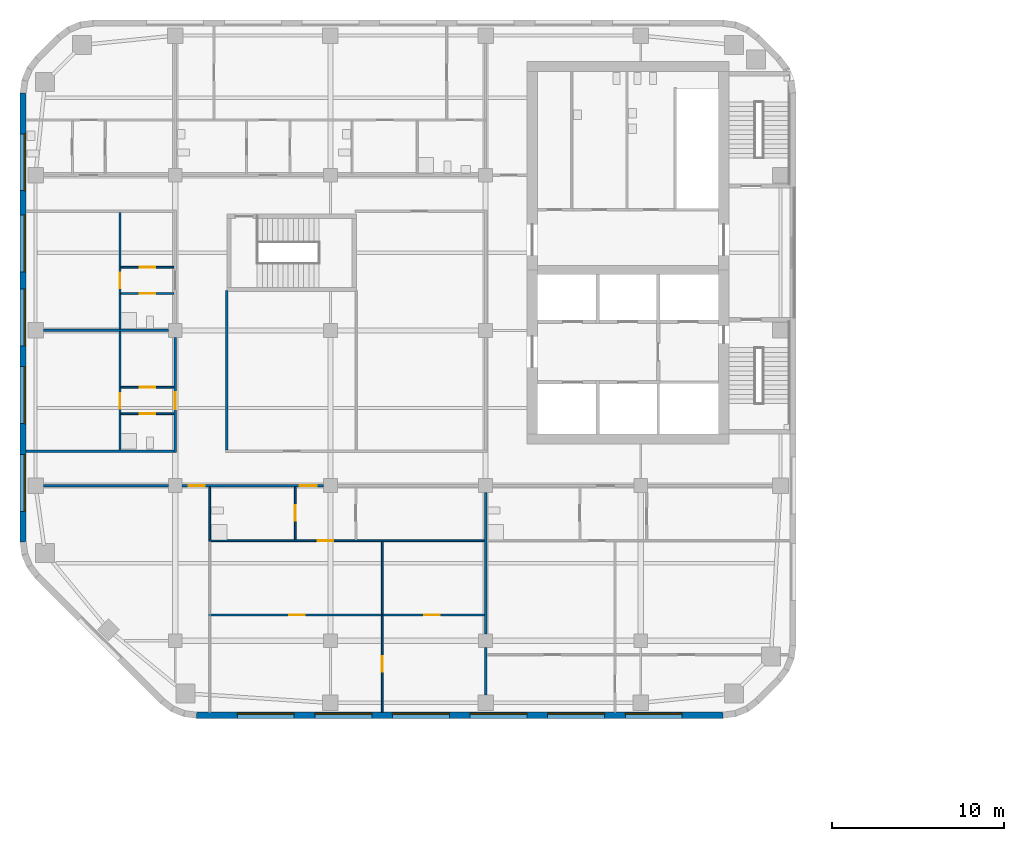
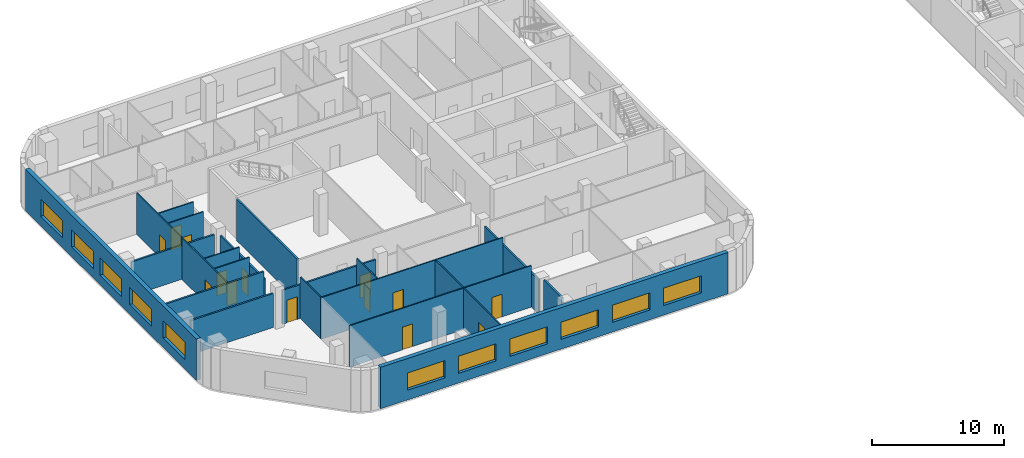
# One storey, part 5 of 16: 22 walls, 14 doors, 11 windows, 25 openings.
"""IFC4 building model written with IfcOpenShell, lengths in metres."""

from ifc_helpers import new_model, si_unit, direction, frame, frame_2d, origin, place, context, subcontext, project, spatial, rectangle, extrude, material, layer, layer_set, type_object, element, fill, save


model = new_model("IFC4")

# Units and contexts
model_context = context("Model", 3, precision=1e-05, world=origin(), true_north=direction((0.0, 1.0)))
body_context = subcontext(model_context, "Body", "Model", "MODEL_VIEW")
ifc_project = project(units=[si_unit("LENGTHUNIT", "METRE"), si_unit("AREAUNIT", "SQUARE_METRE"), si_unit("VOLUMEUNIT", "CUBIC_METRE"), si_unit("PLANEANGLEUNIT", "RADIAN"), si_unit("MASSUNIT", "GRAM", prefix="KILO")], contexts=[model_context])

# Site, building, storey
site_placement = place(None, origin())
site = spatial("IfcSite", under=ifc_project, at=site_placement, CompositionType="ELEMENT")
building_placement = place(site_placement, origin())
building = spatial("IfcBuilding", under=site, at=building_placement, Name="Cinnabar Reach Civic Tower", CompositionType="ELEMENT")
storey_placement = place(building_placement, frame((0.0, 0.0, 38.0)))
storey = spatial("IfcBuildingStorey", under=building, at=storey_placement, Name="L08", CompositionType="ELEMENT", Elevation=38.0)

# Wall, openings, windows
ifc_material_1 = material(Name="Facing brick with insulated backing", Category="masonry")
ifc_layer_1 = layer(ifc_material_1, 0.36)
ifc_layer_set_1 = layer_set([ifc_layer_1], Name="Brick pier and spandrel wall")
wall_type_1 = type_object("IfcWallType", Name="Brick pier and spandrel wall", PredefinedType="STANDARD", material=ifc_layer_set_1)
wall_1_placement = place(storey_placement, frame((-61.7574, 4.68, 0.0), z_axis=(0.0, 0.0, 1.0), x_axis=(1.0, 0.0, 0.0)))
wall_1 = element("IfcWall", 1, at=wall_1_placement, inside=storey, type_object=wall_type_1, Name="Brick facade wall", PredefinedType="STANDARD", context=body_context, shape_type="SweptSolid", body=[
    extrude(rectangle(XDim=30.5148, YDim=0.36, at=frame_2d((15.2574, 0.0))), origin(), (0.0, 0.0, 1.0), 3.85),
])
opening_1_placement = place(wall_1_placement, frame((2.3574, 0.0, 0.9)))
opening_1 = element("IfcOpeningElement", 2, at=opening_1_placement, cuts=wall_1, Name="Opening W2416", PredefinedType="OPENING", context=body_context, shape_type="SweptSolid", body=[
    extrude(rectangle(XDim=3.3, YDim=1.6, at=frame_2d((1.65, 0.8))), frame((0.0, 0.19, 0.0), z_axis=(0.0, -1.0, 0.0), x_axis=(1.0, 0.0, 0.0)), (0.0, 0.0, 1.0), 0.38),
])
opening_2_placement = place(wall_1_placement, frame((6.8574, 0.0, 0.9)))
opening_2 = element("IfcOpeningElement", 3, at=opening_2_placement, cuts=wall_1, Name="Opening W2417", PredefinedType="OPENING", context=body_context, shape_type="SweptSolid", body=[
    extrude(rectangle(XDim=3.3, YDim=1.6, at=frame_2d((1.65, 0.8))), frame((0.0, 0.19, 0.0), z_axis=(0.0, -1.0, 0.0), x_axis=(1.0, 0.0, 0.0)), (0.0, 0.0, 1.0), 0.38),
])
opening_3_placement = place(wall_1_placement, frame((11.3574, 0.0, 0.9)))
opening_3 = element("IfcOpeningElement", 4, at=opening_3_placement, cuts=wall_1, Name="Opening W2418", PredefinedType="OPENING", context=body_context, shape_type="SweptSolid", body=[
    extrude(rectangle(XDim=3.3, YDim=1.6, at=frame_2d((1.65, 0.8))), frame((0.0, 0.19, 0.0), z_axis=(0.0, -1.0, 0.0), x_axis=(1.0, 0.0, 0.0)), (0.0, 0.0, 1.0), 0.38),
])
opening_4_placement = place(wall_1_placement, frame((15.8574, 0.0, 0.9)))
opening_4 = element("IfcOpeningElement", 5, at=opening_4_placement, cuts=wall_1, Name="Opening W2419", PredefinedType="OPENING", context=body_context, shape_type="SweptSolid", body=[
    extrude(rectangle(XDim=3.3, YDim=1.6, at=frame_2d((1.65, 0.8))), frame((0.0, 0.19, 0.0), z_axis=(0.0, -1.0, 0.0), x_axis=(1.0, 0.0, 0.0)), (0.0, 0.0, 1.0), 0.38),
])
opening_5_placement = place(wall_1_placement, frame((20.3574, 0.0, 0.9)))
opening_5 = element("IfcOpeningElement", 6, at=opening_5_placement, cuts=wall_1, Name="Opening W2420", PredefinedType="OPENING", context=body_context, shape_type="SweptSolid", body=[
    extrude(rectangle(XDim=3.3, YDim=1.6, at=frame_2d((1.65, 0.8))), frame((0.0, 0.19, 0.0), z_axis=(0.0, -1.0, 0.0), x_axis=(1.0, 0.0, 0.0)), (0.0, 0.0, 1.0), 0.38),
])
opening_6_placement = place(wall_1_placement, frame((24.8574, 0.0, 0.9)))
opening_6 = element("IfcOpeningElement", 7, at=opening_6_placement, cuts=wall_1, Name="Opening W2421", PredefinedType="OPENING", context=body_context, shape_type="SweptSolid", body=[
    extrude(rectangle(XDim=3.3, YDim=1.6, at=frame_2d((1.65, 0.8))), frame((0.0, 0.19, 0.0), z_axis=(0.0, -1.0, 0.0), x_axis=(1.0, 0.0, 0.0)), (0.0, 0.0, 1.0), 0.38),
])
ifc_material_2 = material(Name="Clear double glazing in aluminium frame", Category="aluminium")
window_type = type_object("IfcWindowType", Name="Deep-set window A", PartitioningType="SINGLE_PANEL", PredefinedType="WINDOW", material=ifc_material_2)
window_1_placement = place(opening_1_placement, origin())
window_1 = element("IfcWindow", 8, at=window_1_placement, inside=storey, type_object=window_type, Name="Window south face", OverallHeight=1.6, OverallWidth=3.3, PartitioningType="SINGLE_PANEL", PredefinedType="WINDOW", context=body_context, shape_type="SweptSolid", body=[
    extrude(rectangle(XDim=3.3, YDim=1.6, at=frame_2d((1.65, 0.8))), frame((0.0, 0.13, 0.0), z_axis=(0.0, -1.0, 0.0), x_axis=(1.0, 0.0, 0.0)), (0.0, 0.0, 1.0), 0.06),
])
fill(opening_1, window_1)
window_2_placement = place(opening_2_placement, origin())
window_2 = element("IfcWindow", 9, at=window_2_placement, inside=storey, type_object=window_type, Name="Window south face", OverallHeight=1.6, OverallWidth=3.3, PartitioningType="SINGLE_PANEL", PredefinedType="WINDOW", context=body_context, shape_type="SweptSolid", body=[
    extrude(rectangle(XDim=3.3, YDim=1.6, at=frame_2d((1.65, 0.8))), frame((0.0, 0.13, 0.0), z_axis=(0.0, -1.0, 0.0), x_axis=(1.0, 0.0, 0.0)), (0.0, 0.0, 1.0), 0.06),
])
fill(opening_2, window_2)
window_3_placement = place(opening_3_placement, origin())
window_3 = element("IfcWindow", 10, at=window_3_placement, inside=storey, type_object=window_type, Name="Window south face", OverallHeight=1.6, OverallWidth=3.3, PartitioningType="SINGLE_PANEL", PredefinedType="WINDOW", context=body_context, shape_type="SweptSolid", body=[
    extrude(rectangle(XDim=3.3, YDim=1.6, at=frame_2d((1.65, 0.8))), frame((0.0, 0.13, 0.0), z_axis=(0.0, -1.0, 0.0), x_axis=(1.0, 0.0, 0.0)), (0.0, 0.0, 1.0), 0.06),
])
fill(opening_3, window_3)
window_4_placement = place(opening_4_placement, origin())
window_4 = element("IfcWindow", 11, at=window_4_placement, inside=storey, type_object=window_type, Name="Window south face", OverallHeight=1.6, OverallWidth=3.3, PartitioningType="SINGLE_PANEL", PredefinedType="WINDOW", context=body_context, shape_type="SweptSolid", body=[
    extrude(rectangle(XDim=3.3, YDim=1.6, at=frame_2d((1.65, 0.8))), frame((0.0, 0.13, 0.0), z_axis=(0.0, -1.0, 0.0), x_axis=(1.0, 0.0, 0.0)), (0.0, 0.0, 1.0), 0.06),
])
fill(opening_4, window_4)
window_5_placement = place(opening_5_placement, origin())
window_5 = element("IfcWindow", 12, at=window_5_placement, inside=storey, type_object=window_type, Name="Window south face", OverallHeight=1.6, OverallWidth=3.3, PartitioningType="SINGLE_PANEL", PredefinedType="WINDOW", context=body_context, shape_type="SweptSolid", body=[
    extrude(rectangle(XDim=3.3, YDim=1.6, at=frame_2d((1.65, 0.8))), frame((0.0, 0.13, 0.0), z_axis=(0.0, -1.0, 0.0), x_axis=(1.0, 0.0, 0.0)), (0.0, 0.0, 1.0), 0.06),
])
fill(opening_5, window_5)
window_6_placement = place(opening_6_placement, origin())
window_6 = element("IfcWindow", 13, at=window_6_placement, inside=storey, type_object=window_type, Name="Window south face", OverallHeight=1.6, OverallWidth=3.3, PartitioningType="SINGLE_PANEL", PredefinedType="WINDOW", context=body_context, shape_type="SweptSolid", body=[
    extrude(rectangle(XDim=3.3, YDim=1.6, at=frame_2d((1.65, 0.8))), frame((0.0, 0.13, 0.0), z_axis=(0.0, -1.0, 0.0), x_axis=(1.0, 0.0, 0.0)), (0.0, 0.0, 1.0), 0.06),
])
fill(opening_6, window_6)

wall_2_placement = place(storey_placement, frame((-71.82, 40.7574, 0.0), z_axis=(0.0, 0.0, 1.0), x_axis=(0.0, -1.0, 0.0)))
wall_2 = element("IfcWall", 14, at=wall_2_placement, inside=storey, type_object=wall_type_1, Name="Brick facade wall", PredefinedType="STANDARD", context=body_context, shape_type="SweptSolid", body=[
    extrude(rectangle(XDim=26.0148, YDim=0.36, at=frame_2d((13.0074, 0.0))), origin(), (0.0, 0.0, 1.0), 3.85),
])
opening_7_placement = place(wall_2_placement, frame((2.3574, 0.0, 0.9)))
opening_7 = element("IfcOpeningElement", 15, at=opening_7_placement, cuts=wall_2, Name="Opening W2432", PredefinedType="OPENING", context=body_context, shape_type="SweptSolid", body=[
    extrude(rectangle(XDim=3.3, YDim=1.6, at=frame_2d((1.65, 0.8))), frame((0.0, 0.19, 0.0), z_axis=(0.0, -1.0, 0.0), x_axis=(1.0, 0.0, 0.0)), (0.0, 0.0, 1.0), 0.38),
])
opening_8_placement = place(wall_2_placement, frame((7.0574, 0.0, 0.9)))
opening_8 = element("IfcOpeningElement", 16, at=opening_8_placement, cuts=wall_2, Name="Opening W2433", PredefinedType="OPENING", context=body_context, shape_type="SweptSolid", body=[
    extrude(rectangle(XDim=3.3, YDim=1.6, at=frame_2d((1.65, 0.8))), frame((0.0, 0.19, 0.0), z_axis=(0.0, -1.0, 0.0), x_axis=(1.0, 0.0, 0.0)), (0.0, 0.0, 1.0), 0.38),
])
opening_9_placement = place(wall_2_placement, frame((11.3574, 0.0, 0.9)))
opening_9 = element("IfcOpeningElement", 17, at=opening_9_placement, cuts=wall_2, Name="Opening W2434", PredefinedType="OPENING", context=body_context, shape_type="SweptSolid", body=[
    extrude(rectangle(XDim=3.3, YDim=1.6, at=frame_2d((1.65, 0.8))), frame((0.0, 0.19, 0.0), z_axis=(0.0, -1.0, 0.0), x_axis=(1.0, 0.0, 0.0)), (0.0, 0.0, 1.0), 0.38),
])
opening_10_placement = place(wall_2_placement, frame((15.8574, 0.0, 0.9)))
opening_10 = element("IfcOpeningElement", 18, at=opening_10_placement, cuts=wall_2, Name="Opening W2435", PredefinedType="OPENING", context=body_context, shape_type="SweptSolid", body=[
    extrude(rectangle(XDim=3.3, YDim=1.6, at=frame_2d((1.65, 0.8))), frame((0.0, 0.19, 0.0), z_axis=(0.0, -1.0, 0.0), x_axis=(1.0, 0.0, 0.0)), (0.0, 0.0, 1.0), 0.38),
])
opening_11_placement = place(wall_2_placement, frame((20.9574, 0.0, 0.9)))
opening_11 = element("IfcOpeningElement", 19, at=opening_11_placement, cuts=wall_2, Name="Opening W2436", PredefinedType="OPENING", context=body_context, shape_type="SweptSolid", body=[
    extrude(rectangle(XDim=3.3, YDim=1.6, at=frame_2d((1.65, 0.8))), frame((0.0, 0.19, 0.0), z_axis=(0.0, -1.0, 0.0), x_axis=(1.0, 0.0, 0.0)), (0.0, 0.0, 1.0), 0.38),
])
window_7_placement = place(opening_7_placement, origin())
window_7 = element("IfcWindow", 20, at=window_7_placement, inside=storey, type_object=window_type, Name="Window west face", OverallHeight=1.6, OverallWidth=3.3, PartitioningType="SINGLE_PANEL", PredefinedType="WINDOW", context=body_context, shape_type="SweptSolid", body=[
    extrude(rectangle(XDim=3.3, YDim=1.6, at=frame_2d((1.65, 0.8))), frame((0.0, 0.13, 0.0), z_axis=(0.0, -1.0, 0.0), x_axis=(1.0, 0.0, 0.0)), (0.0, 0.0, 1.0), 0.06),
])
fill(opening_7, window_7)
window_8_placement = place(opening_8_placement, origin())
window_8 = element("IfcWindow", 21, at=window_8_placement, inside=storey, type_object=window_type, Name="Window west face", OverallHeight=1.6, OverallWidth=3.3, PartitioningType="SINGLE_PANEL", PredefinedType="WINDOW", context=body_context, shape_type="SweptSolid", body=[
    extrude(rectangle(XDim=3.3, YDim=1.6, at=frame_2d((1.65, 0.8))), frame((0.0, 0.13, 0.0), z_axis=(0.0, -1.0, 0.0), x_axis=(1.0, 0.0, 0.0)), (0.0, 0.0, 1.0), 0.06),
])
fill(opening_8, window_8)
window_9_placement = place(opening_9_placement, origin())
window_9 = element("IfcWindow", 22, at=window_9_placement, inside=storey, type_object=window_type, Name="Window west face", OverallHeight=1.6, OverallWidth=3.3, PartitioningType="SINGLE_PANEL", PredefinedType="WINDOW", context=body_context, shape_type="SweptSolid", body=[
    extrude(rectangle(XDim=3.3, YDim=1.6, at=frame_2d((1.65, 0.8))), frame((0.0, 0.13, 0.0), z_axis=(0.0, -1.0, 0.0), x_axis=(1.0, 0.0, 0.0)), (0.0, 0.0, 1.0), 0.06),
])
fill(opening_9, window_9)
window_10_placement = place(opening_10_placement, origin())
window_10 = element("IfcWindow", 23, at=window_10_placement, inside=storey, type_object=window_type, Name="Window west face", OverallHeight=1.6, OverallWidth=3.3, PartitioningType="SINGLE_PANEL", PredefinedType="WINDOW", context=body_context, shape_type="SweptSolid", body=[
    extrude(rectangle(XDim=3.3, YDim=1.6, at=frame_2d((1.65, 0.8))), frame((0.0, 0.13, 0.0), z_axis=(0.0, -1.0, 0.0), x_axis=(1.0, 0.0, 0.0)), (0.0, 0.0, 1.0), 0.06),
])
fill(opening_10, window_10)
window_11_placement = place(opening_11_placement, origin())
window_11 = element("IfcWindow", 24, at=window_11_placement, inside=storey, type_object=window_type, Name="Window west face", OverallHeight=1.6, OverallWidth=3.3, PartitioningType="SINGLE_PANEL", PredefinedType="WINDOW", context=body_context, shape_type="SweptSolid", body=[
    extrude(rectangle(XDim=3.3, YDim=1.6, at=frame_2d((1.65, 0.8))), frame((0.0, 0.13, 0.0), z_axis=(0.0, -1.0, 0.0), x_axis=(1.0, 0.0, 0.0)), (0.0, 0.0, 1.0), 0.06),
])
fill(opening_11, window_11)

# Wall, openings, doors
ifc_material_3 = material(Name="Gypsum board on steel studs, double layer", Category="steel")
ifc_layer_2 = layer(ifc_material_3, 0.15)
ifc_layer_set_2 = layer_set([ifc_layer_2], Name="Corridor wall 150 T2")
wall_type_2 = type_object("IfcWallType", Name="Corridor wall 150 T2", PredefinedType="PARTITIONING", material=ifc_layer_set_2)
wall_3_placement = place(storey_placement, frame((-62.6, 18.0, 0.0), z_axis=(0.0, 0.0, 1.0), x_axis=(1.0, 0.0, 0.0)))
wall_3 = element("IfcWall", 25, at=wall_3_placement, inside=storey, type_object=wall_type_2, Name="Corridor wall 4", PredefinedType="PARTITIONING", context=body_context, shape_type="SweptSolid", body=[
    extrude(rectangle(XDim=8.2, YDim=0.15, at=frame_2d((4.1, 0.0))), origin(), (0.0, 0.0, 1.0), 3.15),
])
opening_12_placement = place(wall_3_placement, frame((0.4, 0.0, 0.0)))
opening_12 = element("IfcOpeningElement", 26, at=opening_12_placement, cuts=wall_3, Name="Opening D6274", PredefinedType="OPENING", context=body_context, shape_type="SweptSolid", body=[
    extrude(rectangle(XDim=0.9, YDim=2.1, at=frame_2d((0.45, 1.05))), frame((0.0, 0.085, 0.0), z_axis=(0.0, -1.0, 0.0), x_axis=(1.0, 0.0, 0.0)), (0.0, 0.0, 1.0), 0.17),
])
opening_13_placement = place(wall_3_placement, frame((6.81, 0.0, 0.0)))
opening_13 = element("IfcOpeningElement", 27, at=opening_13_placement, cuts=wall_3, Name="Opening D6281", PredefinedType="OPENING", context=body_context, shape_type="SweptSolid", body=[
    extrude(rectangle(XDim=1.0, YDim=2.1, at=frame_2d((0.5, 1.05))), frame((0.0, 0.085, 0.0), z_axis=(0.0, -1.0, 0.0), x_axis=(1.0, 0.0, 0.0)), (0.0, 0.0, 1.0), 0.17),
])
ifc_material_4 = material(Name="Timber door leaf in steel frame", Category="steel")
door_type_1 = type_object("IfcDoorType", Name="Single swing door 900 x 2100 T2", OperationType="SINGLE_SWING_LEFT", PredefinedType="DOOR", material=ifc_material_4)
door_1_placement = place(opening_12_placement, frame((0.9, 0.0, 0.0), z_axis=(0.0, 0.0, 1.0), x_axis=(-1.0, 0.0, 0.0)))
door_1 = element("IfcDoor", 28, at=door_1_placement, inside=storey, type_object=door_type_1, Name="Door D6274", OperationType="SINGLE_SWING_LEFT", OverallHeight=2.1, OverallWidth=0.9, PredefinedType="DOOR", context=body_context, shape_type="SweptSolid", body=[
    extrude(rectangle(XDim=0.9, YDim=2.1, at=frame_2d((0.45, 1.05))), frame((0.0, 0.025, 0.0), z_axis=(0.0, -1.0, 0.0), x_axis=(1.0, 0.0, 0.0)), (0.0, 0.0, 1.0), 0.05),
])
fill(opening_12, door_1)
door_type_2 = type_object("IfcDoorType", Name="Tenancy entrance door 1000 x 2100 T2", OperationType="SINGLE_SWING_LEFT", PredefinedType="DOOR", material=ifc_material_4)
door_2_placement = place(opening_13_placement, frame((1.0, 0.0, 0.0), z_axis=(0.0, 0.0, 1.0), x_axis=(-1.0, 0.0, 0.0)))
door_2 = element("IfcDoor", 29, at=door_2_placement, inside=storey, type_object=door_type_2, Name="Door D6281", OperationType="SINGLE_SWING_RIGHT", OverallHeight=2.1, OverallWidth=1.0, PredefinedType="DOOR", context=body_context, shape_type="SweptSolid", body=[
    extrude(rectangle(XDim=1.0, YDim=2.1, at=frame_2d((0.5, 1.05))), frame((0.0, 0.025, 0.0), z_axis=(0.0, -1.0, 0.0), x_axis=(1.0, 0.0, 0.0)), (0.0, 0.0, 1.0), 0.05),
])
fill(opening_13, door_2)

# Wall
wall_4_placement = place(storey_placement, frame((-70.65, 18.0, 0.0), z_axis=(0.0, 0.0, 1.0), x_axis=(1.0, 0.0, 0.0)))
element("IfcWall", 30, at=wall_4_placement, inside=storey, type_object=wall_type_2, Name="Corridor wall 5", PredefinedType="PARTITIONING", context=body_context, shape_type="SweptSolid", body=[
    extrude(rectangle(XDim=7.25, YDim=0.15, at=frame_2d((3.625, 0.0))), origin(), (0.0, 0.0, 1.0), 3.15),
])

# Wall, opening, door
wall_5_placement = place(storey_placement, frame((-63.0, 19.925, 0.0), z_axis=(0.0, 0.0, 1.0), x_axis=(0.0, 1.0, 0.0)))
wall_5 = element("IfcWall", 31, at=wall_5_placement, inside=storey, type_object=wall_type_2, Name="Corridor wall 11", PredefinedType="PARTITIONING", context=body_context, shape_type="SweptSolid", body=[
    extrude(rectangle(XDim=6.675, YDim=0.15, at=frame_2d((3.3375, 0.0))), origin(), (0.0, 0.0, 1.0), 3.158),
])
opening_14_placement = place(wall_5_placement, frame((2.495, 0.0, 0.0)))
opening_14 = element("IfcOpeningElement", 32, at=opening_14_placement, cuts=wall_5, Name="Opening D6304", PredefinedType="OPENING", context=body_context, shape_type="SweptSolid", body=[
    extrude(rectangle(XDim=1.0, YDim=2.1, at=frame_2d((0.5, 1.05))), frame((0.0, 0.085, 0.0), z_axis=(0.0, -1.0, 0.0), x_axis=(1.0, 0.0, 0.0)), (0.0, 0.0, 1.0), 0.17),
])
door_3_placement = place(opening_14_placement, origin())
door_3 = element("IfcDoor", 33, at=door_3_placement, inside=storey, type_object=door_type_2, Name="Door D6304", OperationType="SINGLE_SWING_LEFT", OverallHeight=2.1, OverallWidth=1.0, PredefinedType="DOOR", context=body_context, shape_type="SweptSolid", body=[
    extrude(rectangle(XDim=1.0, YDim=2.1, at=frame_2d((0.5, 1.05))), frame((0.0, 0.025, 0.0), z_axis=(0.0, -1.0, 0.0), x_axis=(1.0, 0.0, 0.0)), (0.0, 0.0, 1.0), 0.05),
])
fill(opening_14, door_3)

# Walls
wall_6_placement = place(storey_placement, frame((-60.0, 20.075, 0.0), z_axis=(0.0, 0.0, 1.0), x_axis=(0.0, 1.0, 0.0)))
element("IfcWall", 34, at=wall_6_placement, inside=storey, type_object=wall_type_2, Name="Corridor wall 15", PredefinedType="PARTITIONING", context=body_context, shape_type="SweptSolid", body=[
    extrude(rectangle(XDim=9.25, YDim=0.15, at=frame_2d((4.625, 0.0))), origin(), (0.0, 0.0, 1.0), 3.85),
])
wall_7_placement = place(storey_placement, frame((-71.64, 20.0, 0.0), z_axis=(0.0, 0.0, 1.0), x_axis=(1.0, 0.0, 0.0)))
element("IfcWall", 35, at=wall_7_placement, inside=storey, type_object=wall_type_2, Name="Corridor wall 16", PredefinedType="PARTITIONING", context=body_context, shape_type="SweptSolid", body=[
    extrude(rectangle(XDim=8.565, YDim=0.15, at=frame_2d((4.2825, 0.0))), origin(), (0.0, 0.0, 1.0), 3.85),
])

# Wall, opening, door
ifc_material_5 = material(Name="Gypsum board on steel studs", Category="steel")
ifc_layer_3 = layer(ifc_material_5, 0.1)
ifc_layer_set_3 = layer_set([ifc_layer_3], Name="Partition wall 100 T2")
wall_type_3 = type_object("IfcWallType", Name="Partition wall 100 T2", PredefinedType="PARTITIONING", material=ifc_layer_set_3)
wall_8_placement = place(storey_placement, frame((-61.05, 14.8, 0.0), z_axis=(0.0, 0.0, 1.0), x_axis=(1.0, 0.0, 0.0)))
wall_8 = element("IfcWall", 36, at=wall_8_placement, inside=storey, type_object=wall_type_3, Name="Partition wall 23", PredefinedType="PARTITIONING", context=body_context, shape_type="SweptSolid", body=[
    extrude(rectangle(XDim=15.975, YDim=0.1, at=frame_2d((7.9875, 0.0))), origin(), (0.0, 0.0, 1.0), 3.85),
])
opening_15_placement = place(wall_8_placement, frame((6.31, 0.0, 0.0)))
opening_15 = element("IfcOpeningElement", 37, at=opening_15_placement, cuts=wall_8, Name="Opening D6277", PredefinedType="OPENING", context=body_context, shape_type="SweptSolid", body=[
    extrude(rectangle(XDim=0.9, YDim=2.1, at=frame_2d((0.45, 1.05))), frame((0.0, 0.06, 0.0), z_axis=(0.0, -1.0, 0.0), x_axis=(1.0, 0.0, 0.0)), (0.0, 0.0, 1.0), 0.12),
])
door_4_placement = place(opening_15_placement, origin())
door_4 = element("IfcDoor", 38, at=door_4_placement, inside=storey, type_object=door_type_1, Name="Door D6277", OperationType="SINGLE_SWING_LEFT", OverallHeight=2.1, OverallWidth=0.9, PredefinedType="DOOR", context=body_context, shape_type="SweptSolid", body=[
    extrude(rectangle(XDim=0.9, YDim=2.1, at=frame_2d((0.45, 1.05))), frame((0.0, 0.025, 0.0), z_axis=(0.0, -1.0, 0.0), x_axis=(1.0, 0.0, 0.0)), (0.0, 0.0, 1.0), 0.05),
])
fill(opening_15, door_4)

# Wall, openings, doors
wall_9_placement = place(storey_placement, frame((-61.05, 10.4933, 0.0), z_axis=(0.0, 0.0, 1.0), x_axis=(1.0, 0.0, 0.0)))
wall_9 = element("IfcWall", 39, at=wall_9_placement, inside=storey, type_object=wall_type_3, Name="Partition wall 29", PredefinedType="PARTITIONING", context=body_context, shape_type="SweptSolid", body=[
    extrude(rectangle(XDim=15.975, YDim=0.1, at=frame_2d((7.9875, 0.0))), origin(), (0.0, 0.0, 1.0), 3.85),
])
opening_16_placement = place(wall_9_placement, frame((4.65, 0.0, 0.0)))
opening_16 = element("IfcOpeningElement", 40, at=opening_16_placement, cuts=wall_9, Name="Opening D6279", PredefinedType="OPENING", context=body_context, shape_type="SweptSolid", body=[
    extrude(rectangle(XDim=0.9, YDim=2.1, at=frame_2d((0.45, 1.05))), frame((0.0, 0.06, 0.0), z_axis=(0.0, -1.0, 0.0), x_axis=(1.0, 0.0, 0.0)), (0.0, 0.0, 1.0), 0.12),
])
opening_17_placement = place(wall_9_placement, frame((12.5, 0.0, 0.0)))
opening_17 = element("IfcOpeningElement", 41, at=opening_17_placement, cuts=wall_9, Name="Opening D6280", PredefinedType="OPENING", context=body_context, shape_type="SweptSolid", body=[
    extrude(rectangle(XDim=0.9, YDim=2.1, at=frame_2d((0.45, 1.05))), frame((0.0, 0.06, 0.0), z_axis=(0.0, -1.0, 0.0), x_axis=(1.0, 0.0, 0.0)), (0.0, 0.0, 1.0), 0.12),
])
door_5_placement = place(opening_16_placement, origin())
door_5 = element("IfcDoor", 42, at=door_5_placement, inside=storey, type_object=door_type_1, Name="Door D6279", OperationType="SINGLE_SWING_RIGHT", OverallHeight=2.1, OverallWidth=0.9, PredefinedType="DOOR", context=body_context, shape_type="SweptSolid", body=[
    extrude(rectangle(XDim=0.9, YDim=2.1, at=frame_2d((0.45, 1.05))), frame((0.0, 0.025, 0.0), z_axis=(0.0, -1.0, 0.0), x_axis=(1.0, 0.0, 0.0)), (0.0, 0.0, 1.0), 0.05),
])
fill(opening_16, door_5)
door_6_placement = place(opening_17_placement, frame((0.9, 0.0, 0.0), z_axis=(0.0, 0.0, 1.0), x_axis=(-1.0, 0.0, 0.0)))
door_6 = element("IfcDoor", 43, at=door_6_placement, inside=storey, type_object=door_type_1, Name="Door D6280", OperationType="SINGLE_SWING_LEFT", OverallHeight=2.1, OverallWidth=0.9, PredefinedType="DOOR", context=body_context, shape_type="SweptSolid", body=[
    extrude(rectangle(XDim=0.9, YDim=2.1, at=frame_2d((0.45, 1.05))), frame((0.0, 0.025, 0.0), z_axis=(0.0, -1.0, 0.0), x_axis=(1.0, 0.0, 0.0)), (0.0, 0.0, 1.0), 0.05),
])
fill(opening_17, door_6)

# Wall, opening, door
wall_10_placement = place(storey_placement, frame((-66.2, 27.075, 0.0), z_axis=(0.0, 0.0, 1.0), x_axis=(0.0, 1.0, 0.0)))
wall_10 = element("IfcWall", 44, at=wall_10_placement, inside=storey, type_object=wall_type_3, Name="Partition wall 30", PredefinedType="PARTITIONING", context=body_context, shape_type="SweptSolid", body=[
    extrude(rectangle(XDim=6.75, YDim=0.1, at=frame_2d((3.375, 0.0))), origin(), (0.0, 0.0, 1.0), 3.85),
])
opening_18_placement = place(wall_10_placement, frame((2.364, 0.0, 0.0)))
opening_18 = element("IfcOpeningElement", 45, at=opening_18_placement, cuts=wall_10, Name="Opening D6307", PredefinedType="OPENING", context=body_context, shape_type="SweptSolid", body=[
    extrude(rectangle(XDim=0.9, YDim=2.1, at=frame_2d((0.45, 1.05))), frame((0.0, 0.06, 0.0), z_axis=(0.0, -1.0, 0.0), x_axis=(1.0, 0.0, 0.0)), (0.0, 0.0, 1.0), 0.12),
])
door_7_placement = place(opening_18_placement, frame((0.9, 0.0, 0.0), z_axis=(0.0, 0.0, 1.0), x_axis=(-1.0, 0.0, 0.0)))
door_7 = element("IfcDoor", 46, at=door_7_placement, inside=storey, type_object=door_type_1, Name="Door D6307", OperationType="SINGLE_SWING_LEFT", OverallHeight=2.1, OverallWidth=0.9, PredefinedType="DOOR", context=body_context, shape_type="SweptSolid", body=[
    extrude(rectangle(XDim=0.9, YDim=2.1, at=frame_2d((0.45, 1.05))), frame((0.0, 0.025, 0.0), z_axis=(0.0, -1.0, 0.0), x_axis=(1.0, 0.0, 0.0)), (0.0, 0.0, 1.0), 0.05),
])
fill(opening_18, door_7)

wall_11_placement = place(storey_placement, frame((-66.2, 20.075, 0.0), z_axis=(0.0, 0.0, 1.0), x_axis=(0.0, 1.0, 0.0)))
wall_11 = element("IfcWall", 47, at=wall_11_placement, inside=storey, type_object=wall_type_3, Name="Partition wall 31", PredefinedType="PARTITIONING", context=body_context, shape_type="SweptSolid", body=[
    extrude(rectangle(XDim=6.85, YDim=0.1, at=frame_2d((3.425, 0.0))), origin(), (0.0, 0.0, 1.0), 3.85),
])
opening_19_placement = place(wall_11_placement, frame((2.395, 0.0, 0.0)))
opening_19 = element("IfcOpeningElement", 48, at=opening_19_placement, cuts=wall_11, Name="Opening D6303", PredefinedType="OPENING", context=body_context, shape_type="SweptSolid", body=[
    extrude(rectangle(XDim=0.9, YDim=2.1, at=frame_2d((0.45, 1.05))), frame((0.0, 0.06, 0.0), z_axis=(0.0, -1.0, 0.0), x_axis=(1.0, 0.0, 0.0)), (0.0, 0.0, 1.0), 0.12),
])
door_8_placement = place(opening_19_placement, frame((0.9, 0.0, 0.0), z_axis=(0.0, 0.0, 1.0), x_axis=(-1.0, 0.0, 0.0)))
door_8 = element("IfcDoor", 49, at=door_8_placement, inside=storey, type_object=door_type_1, Name="Door D6303", OperationType="SINGLE_SWING_RIGHT", OverallHeight=2.1, OverallWidth=0.9, PredefinedType="DOOR", context=body_context, shape_type="SweptSolid", body=[
    extrude(rectangle(XDim=0.9, YDim=2.1, at=frame_2d((0.45, 1.05))), frame((0.0, 0.025, 0.0), z_axis=(0.0, -1.0, 0.0), x_axis=(1.0, 0.0, 0.0)), (0.0, 0.0, 1.0), 0.05),
])
fill(opening_19, door_8)

# Walls
wall_12_placement = place(storey_placement, frame((-61.0, 14.85, 0.0), z_axis=(0.0, 0.0, 1.0), x_axis=(0.0, 1.0, 0.0)))
element("IfcWall", 50, at=wall_12_placement, inside=storey, type_object=wall_type_3, Name="Partition wall 32", PredefinedType="PARTITIONING", context=body_context, shape_type="SweptSolid", body=[
    extrude(rectangle(XDim=3.075, YDim=0.1, at=frame_2d((1.5375, 0.0))), origin(), (0.0, 0.0, 1.0), 3.85),
])
wall_13_placement = place(storey_placement, frame((-51.0, 10.5433, 0.0), z_axis=(0.0, 0.0, 1.0), x_axis=(0.0, 1.0, 0.0)))
element("IfcWall", 51, at=wall_13_placement, inside=storey, type_object=wall_type_3, Name="Partition wall 35", PredefinedType="PARTITIONING", context=body_context, shape_type="SweptSolid", body=[
    extrude(rectangle(XDim=4.2067, YDim=0.1, at=frame_2d((2.1033, 0.0))), origin(), (0.0, 0.0, 1.0), 3.85),
])

# Wall, opening, door
wall_14_placement = place(storey_placement, frame((-51.0, 4.86, 0.0), z_axis=(0.0, 0.0, 1.0), x_axis=(0.0, 1.0, 0.0)))
wall_14 = element("IfcWall", 52, at=wall_14_placement, inside=storey, type_object=wall_type_3, Name="Partition wall 36", PredefinedType="PARTITIONING", context=body_context, shape_type="SweptSolid", body=[
    extrude(rectangle(XDim=5.5833, YDim=0.1, at=frame_2d((2.7917, 0.0))), origin(), (0.0, 0.0, 1.0), 3.85),
])
opening_20_placement = place(wall_14_placement, frame((2.35, 0.0, 0.0)))
opening_20 = element("IfcOpeningElement", 53, at=opening_20_placement, cuts=wall_14, Name="Opening D6278", PredefinedType="OPENING", context=body_context, shape_type="SweptSolid", body=[
    extrude(rectangle(XDim=0.9, YDim=2.1, at=frame_2d((0.45, 1.05))), frame((0.0, 0.06, 0.0), z_axis=(0.0, -1.0, 0.0), x_axis=(1.0, 0.0, 0.0)), (0.0, 0.0, 1.0), 0.12),
])
door_9_placement = place(opening_20_placement, frame((0.9, 0.0, 0.0), z_axis=(0.0, 0.0, 1.0), x_axis=(-1.0, 0.0, 0.0)))
door_9 = element("IfcDoor", 54, at=door_9_placement, inside=storey, type_object=door_type_1, Name="Door D6278", OperationType="SINGLE_SWING_LEFT", OverallHeight=2.1, OverallWidth=0.9, PredefinedType="DOOR", context=body_context, shape_type="SweptSolid", body=[
    extrude(rectangle(XDim=0.9, YDim=2.1, at=frame_2d((0.45, 1.05))), frame((0.0, 0.025, 0.0), z_axis=(0.0, -1.0, 0.0), x_axis=(1.0, 0.0, 0.0)), (0.0, 0.0, 1.0), 0.05),
])
fill(opening_20, door_9)

wall_15_placement = place(storey_placement, frame((-66.15, 22.17, 0.0), z_axis=(0.0, 0.0, 1.0), x_axis=(1.0, 0.0, 0.0)))
wall_15 = element("IfcWall", 55, at=wall_15_placement, inside=storey, type_object=wall_type_3, Name="Partition wall 44", PredefinedType="PARTITIONING", context=body_context, shape_type="SweptSolid", body=[
    extrude(rectangle(XDim=3.075, YDim=0.1, at=frame_2d((1.5375, 0.0))), origin(), (0.0, 0.0, 1.0), 3.85),
])
opening_21_placement = place(wall_15_placement, frame((1.1, 0.0, 0.0)))
opening_21 = element("IfcOpeningElement", 56, at=opening_21_placement, cuts=wall_15, Name="Opening D6301", PredefinedType="OPENING", context=body_context, shape_type="SweptSolid", body=[
    extrude(rectangle(XDim=0.9, YDim=2.1, at=frame_2d((0.45, 1.05))), frame((0.0, 0.06, 0.0), z_axis=(0.0, -1.0, 0.0), x_axis=(1.0, 0.0, 0.0)), (0.0, 0.0, 1.0), 0.12),
])
door_10_placement = place(opening_21_placement, frame((0.9, 0.0, 0.0), z_axis=(0.0, 0.0, 1.0), x_axis=(-1.0, 0.0, 0.0)))
door_10 = element("IfcDoor", 57, at=door_10_placement, inside=storey, type_object=door_type_1, Name="Door D6301", OperationType="SINGLE_SWING_RIGHT", OverallHeight=2.1, OverallWidth=0.9, PredefinedType="DOOR", context=body_context, shape_type="SweptSolid", body=[
    extrude(rectangle(XDim=0.9, YDim=2.1, at=frame_2d((0.45, 1.05))), frame((0.0, 0.025, 0.0), z_axis=(0.0, -1.0, 0.0), x_axis=(1.0, 0.0, 0.0)), (0.0, 0.0, 1.0), 0.05),
])
fill(opening_21, door_10)

wall_16_placement = place(storey_placement, frame((-66.15, 23.71, 0.0), z_axis=(0.0, 0.0, 1.0), x_axis=(1.0, 0.0, 0.0)))
wall_16 = element("IfcWall", 58, at=wall_16_placement, inside=storey, type_object=wall_type_3, Name="Partition wall 45", PredefinedType="PARTITIONING", context=body_context, shape_type="SweptSolid", body=[
    extrude(rectangle(XDim=3.075, YDim=0.1, at=frame_2d((1.5375, 0.0))), origin(), (0.0, 0.0, 1.0), 3.85),
])
opening_22_placement = place(wall_16_placement, frame((1.1, 0.0, 0.0)))
opening_22 = element("IfcOpeningElement", 59, at=opening_22_placement, cuts=wall_16, Name="Opening D6302", PredefinedType="OPENING", context=body_context, shape_type="SweptSolid", body=[
    extrude(rectangle(XDim=0.9, YDim=2.1, at=frame_2d((0.45, 1.05))), frame((0.0, 0.06, 0.0), z_axis=(0.0, -1.0, 0.0), x_axis=(1.0, 0.0, 0.0)), (0.0, 0.0, 1.0), 0.12),
])
door_11_placement = place(opening_22_placement, frame((0.9, 0.0, 0.0), z_axis=(0.0, 0.0, 1.0), x_axis=(-1.0, 0.0, 0.0)))
door_11 = element("IfcDoor", 60, at=door_11_placement, inside=storey, type_object=door_type_1, Name="Door D6302", OperationType="SINGLE_SWING_LEFT", OverallHeight=2.1, OverallWidth=0.9, PredefinedType="DOOR", context=body_context, shape_type="SweptSolid", body=[
    extrude(rectangle(XDim=0.9, YDim=2.1, at=frame_2d((0.45, 1.05))), frame((0.0, 0.025, 0.0), z_axis=(0.0, -1.0, 0.0), x_axis=(1.0, 0.0, 0.0)), (0.0, 0.0, 1.0), 0.05),
])
fill(opening_22, door_11)

wall_17_placement = place(storey_placement, frame((-66.15, 29.139, 0.0), z_axis=(0.0, 0.0, 1.0), x_axis=(1.0, 0.0, 0.0)))
wall_17 = element("IfcWall", 61, at=wall_17_placement, inside=storey, type_object=wall_type_3, Name="Partition wall 46", PredefinedType="PARTITIONING", context=body_context, shape_type="SweptSolid", body=[
    extrude(rectangle(XDim=3.075, YDim=0.1, at=frame_2d((1.5375, 0.0))), origin(), (0.0, 0.0, 1.0), 3.85),
])
opening_23_placement = place(wall_17_placement, frame((1.1, 0.0, 0.0)))
opening_23 = element("IfcOpeningElement", 62, at=opening_23_placement, cuts=wall_17, Name="Opening D6305", PredefinedType="OPENING", context=body_context, shape_type="SweptSolid", body=[
    extrude(rectangle(XDim=0.9, YDim=2.1, at=frame_2d((0.45, 1.05))), frame((0.0, 0.06, 0.0), z_axis=(0.0, -1.0, 0.0), x_axis=(1.0, 0.0, 0.0)), (0.0, 0.0, 1.0), 0.12),
])
door_12_placement = place(opening_23_placement, frame((0.9, 0.0, 0.0), z_axis=(0.0, 0.0, 1.0), x_axis=(-1.0, 0.0, 0.0)))
door_12 = element("IfcDoor", 63, at=door_12_placement, inside=storey, type_object=door_type_1, Name="Door D6305", OperationType="SINGLE_SWING_LEFT", OverallHeight=2.1, OverallWidth=0.9, PredefinedType="DOOR", context=body_context, shape_type="SweptSolid", body=[
    extrude(rectangle(XDim=0.9, YDim=2.1, at=frame_2d((0.45, 1.05))), frame((0.0, 0.025, 0.0), z_axis=(0.0, -1.0, 0.0), x_axis=(1.0, 0.0, 0.0)), (0.0, 0.0, 1.0), 0.05),
])
fill(opening_23, door_12)

wall_18_placement = place(storey_placement, frame((-66.15, 30.657, 0.0), z_axis=(0.0, 0.0, 1.0), x_axis=(1.0, 0.0, 0.0)))
wall_18 = element("IfcWall", 64, at=wall_18_placement, inside=storey, type_object=wall_type_3, Name="Partition wall 47", PredefinedType="PARTITIONING", context=body_context, shape_type="SweptSolid", body=[
    extrude(rectangle(XDim=3.075, YDim=0.1, at=frame_2d((1.5375, 0.0))), origin(), (0.0, 0.0, 1.0), 3.85),
])
opening_24_placement = place(wall_18_placement, frame((1.1, 0.0, 0.0)))
opening_24 = element("IfcOpeningElement", 65, at=opening_24_placement, cuts=wall_18, Name="Opening D6306", PredefinedType="OPENING", context=body_context, shape_type="SweptSolid", body=[
    extrude(rectangle(XDim=0.9, YDim=2.1, at=frame_2d((0.45, 1.05))), frame((0.0, 0.06, 0.0), z_axis=(0.0, -1.0, 0.0), x_axis=(1.0, 0.0, 0.0)), (0.0, 0.0, 1.0), 0.12),
])
door_13_placement = place(opening_24_placement, frame((0.9, 0.0, 0.0), z_axis=(0.0, 0.0, 1.0), x_axis=(-1.0, 0.0, 0.0)))
door_13 = element("IfcDoor", 66, at=door_13_placement, inside=storey, type_object=door_type_1, Name="Door D6306", OperationType="SINGLE_SWING_LEFT", OverallHeight=2.1, OverallWidth=0.9, PredefinedType="DOOR", context=body_context, shape_type="SweptSolid", body=[
    extrude(rectangle(XDim=0.9, YDim=2.1, at=frame_2d((0.45, 1.05))), frame((0.0, 0.025, 0.0), z_axis=(0.0, -1.0, 0.0), x_axis=(1.0, 0.0, 0.0)), (0.0, 0.0, 1.0), 0.05),
])
fill(opening_24, door_13)

wall_19_placement = place(storey_placement, frame((-56.04, 14.85, 0.0), z_axis=(0.0, 0.0, 1.0), x_axis=(0.0, 1.0, 0.0)))
wall_19 = element("IfcWall", 67, at=wall_19_placement, inside=storey, type_object=wall_type_3, Name="Partition wall 54", PredefinedType="PARTITIONING", context=body_context, shape_type="SweptSolid", body=[
    extrude(rectangle(XDim=3.075, YDim=0.1, at=frame_2d((1.5375, 0.0))), origin(), (0.0, 0.0, 1.0), 3.85),
])
opening_25_placement = place(wall_19_placement, frame((1.1, 0.0, 0.0)))
opening_25 = element("IfcOpeningElement", 68, at=opening_25_placement, cuts=wall_19, Name="Opening D6275", PredefinedType="OPENING", context=body_context, shape_type="SweptSolid", body=[
    extrude(rectangle(XDim=0.9, YDim=2.1, at=frame_2d((0.45, 1.05))), frame((0.0, 0.06, 0.0), z_axis=(0.0, -1.0, 0.0), x_axis=(1.0, 0.0, 0.0)), (0.0, 0.0, 1.0), 0.12),
])
door_14_placement = place(opening_25_placement, origin())
door_14 = element("IfcDoor", 69, at=door_14_placement, inside=storey, type_object=door_type_1, Name="Door D6275", OperationType="SINGLE_SWING_RIGHT", OverallHeight=2.1, OverallWidth=0.9, PredefinedType="DOOR", context=body_context, shape_type="SweptSolid", body=[
    extrude(rectangle(XDim=0.9, YDim=2.1, at=frame_2d((0.45, 1.05))), frame((0.0, 0.025, 0.0), z_axis=(0.0, -1.0, 0.0), x_axis=(1.0, 0.0, 0.0)), (0.0, 0.0, 1.0), 0.05),
])
fill(opening_25, door_14)

# Walls
ifc_layer_4 = layer(ifc_material_3, 0.15)
ifc_layer_set_4 = layer_set([ifc_layer_4], Name="Tenancy separating wall 150 T2")
wall_type_4 = type_object("IfcWallType", Name="Tenancy separating wall 150 T2", PredefinedType="PARTITIONING", material=ifc_layer_set_4)
wall_20_placement = place(storey_placement, frame((-45.0, 9.4, 0.0), z_axis=(0.0, 0.0, 1.0), x_axis=(0.0, 1.0, 0.0)))
element("IfcWall", 70, at=wall_20_placement, inside=storey, type_object=wall_type_4, Name="Tenancy separating wall 19", PredefinedType="PARTITIONING", context=body_context, shape_type="SweptSolid", body=[
    extrude(rectangle(XDim=8.2, YDim=0.15, at=frame_2d((4.1, 0.0))), origin(), (0.0, 0.0, 1.0), 3.158),
])
wall_21_placement = place(storey_placement, frame((-45.0, 5.85, 0.0), z_axis=(0.0, 0.0, 1.0), x_axis=(0.0, 1.0, 0.0)))
element("IfcWall", 71, at=wall_21_placement, inside=storey, type_object=wall_type_4, Name="Tenancy separating wall 20", PredefinedType="PARTITIONING", context=body_context, shape_type="SweptSolid", body=[
    extrude(rectangle(XDim=2.75, YDim=0.15, at=frame_2d((1.375, 0.0))), origin(), (0.0, 0.0, 1.0), 3.652),
])
wall_22_placement = place(storey_placement, frame((-70.65, 27.0, 0.0), z_axis=(0.0, 0.0, 1.0), x_axis=(1.0, 0.0, 0.0)))
element("IfcWall", 72, at=wall_22_placement, inside=storey, type_object=wall_type_4, Name="Tenancy separating wall 21", PredefinedType="PARTITIONING", context=body_context, shape_type="SweptSolid", body=[
    extrude(rectangle(XDim=7.25, YDim=0.15, at=frame_2d((3.625, 0.0))), origin(), (0.0, 0.0, 1.0), 3.15),
])

save(model, "model.ifc")
